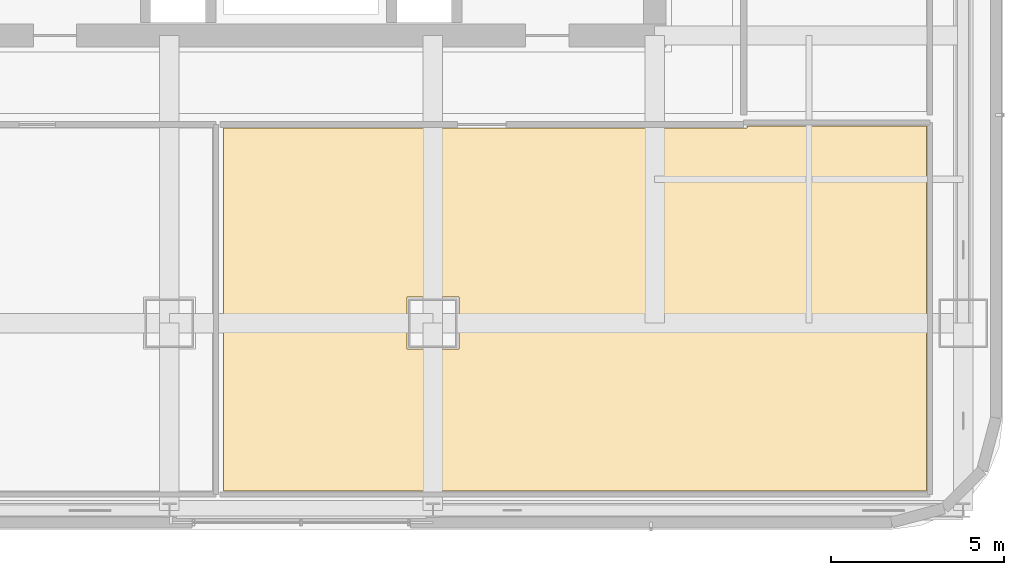
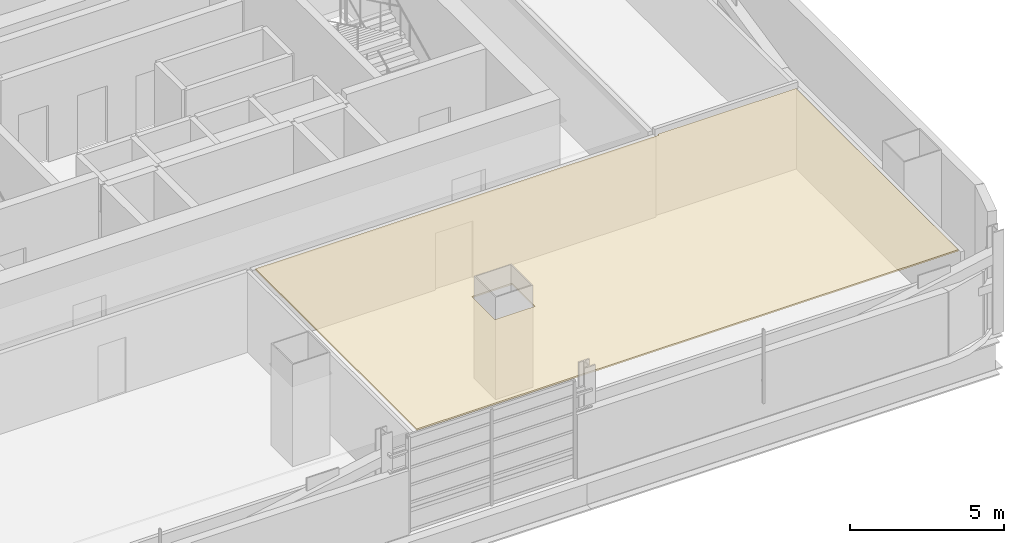
# One storey, part 24 of 29: 1 covering.
"""IFC4 building model written with IfcOpenShell, lengths in metres."""

from ifc_helpers import new_model, si_unit, direction, frame, origin, place, context, subcontext, project, spatial, polyline, outline, extrude, material, layer, layer_set, type_object, element, save


model = new_model("IFC4")

# Units and contexts
model_context = context("Model", 3, precision=1e-05, world=origin(), true_north=direction((0.0, 1.0)))
body_context = subcontext(model_context, "Body", "Model", "MODEL_VIEW")
ifc_project = project(units=[si_unit("LENGTHUNIT", "METRE"), si_unit("AREAUNIT", "SQUARE_METRE"), si_unit("VOLUMEUNIT", "CUBIC_METRE"), si_unit("PLANEANGLEUNIT", "RADIAN"), si_unit("MASSUNIT", "GRAM", prefix="KILO")], contexts=[model_context])

# Site, building, storey
site_placement = place(None, origin())
site = spatial("IfcSite", under=ifc_project, at=site_placement, CompositionType="ELEMENT")
building_placement = place(site_placement, origin())
building = spatial("IfcBuilding", under=site, at=building_placement, Name="Punatoya Terracotta Tower", CompositionType="ELEMENT")
storey_placement = place(building_placement, frame((0.0, 0.0, 172.199951171875)))
storey = spatial("IfcBuildingStorey", under=building, at=storey_placement, Name="L40", CompositionType="ELEMENT", Elevation=172.199951171875)

# Covering
ifc_material = material(Name="Acoustic Mineral Fibre Ceiling")
ifc_layer = layer(ifc_material, 0.06005859375)
ifc_layer_set = layer_set([ifc_layer], Name="Acoustic Mineral Fibre Ceiling")
covering_type = type_object("IfcCoveringType", Name="COV-CEIL-60", PredefinedType="CEILING", material=ifc_layer_set)
covering_placement = place(storey_placement, frame((0.0, 0.0, 3.16015625)))
element("IfcCovering", 1, at=covering_placement, inside=storey, type_object=covering_type, Name="L40 Media Broadcast Studio Acoustic Ceiling", PredefinedType="CEILING", context=body_context, shape_type="SweptSolid", body=[
    extrude(outline(polyline([(12.8701171875, -11.8701171875), (-2.239990234375, -11.8701171875), (-2.239990234375, -22.340087890625), (18.0400390625, -22.340087890625), (18.0400390625, -11.81005859375), (12.8701171875, -11.81005859375), (12.8701171875, -11.8701171875)]), holes=[polyline([(4.550048828125, -16.75), (4.550048828125, -18.25), (3.050048828125, -18.25), (3.050048828125, -16.75), (4.550048828125, -16.75)])]), origin(), (0.0, 0.0, 1.0), 0.059814453125),
])

save(model, "model.ifc")
